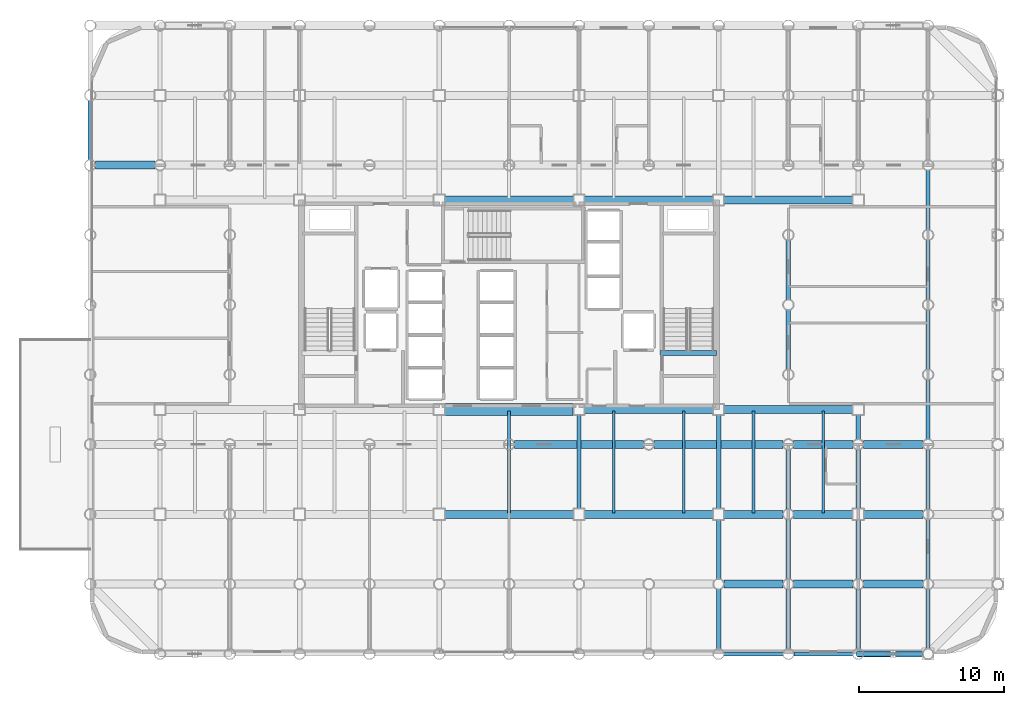
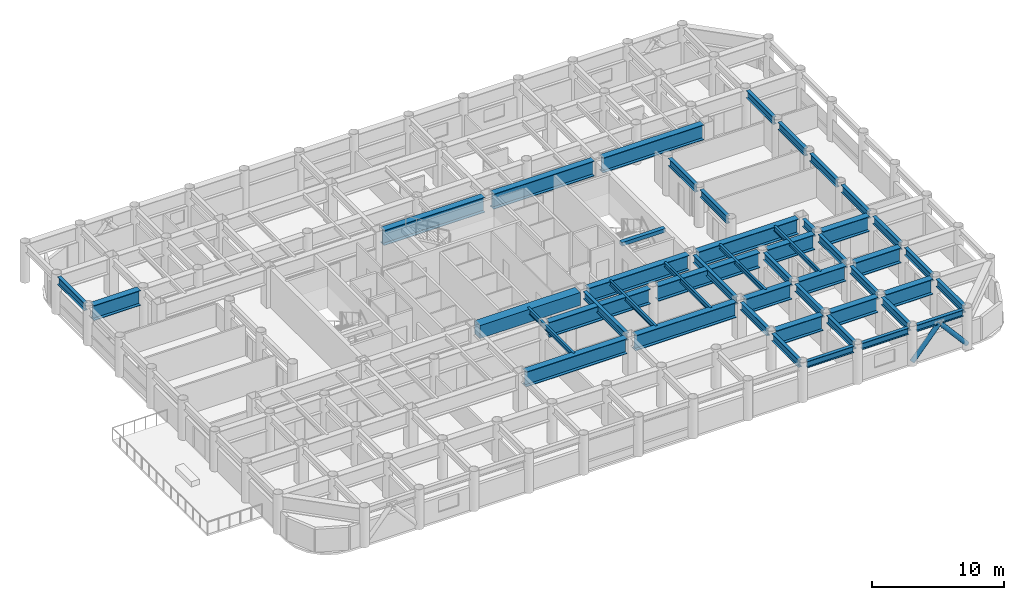
# One storey, part 7 of 22: 49 beams, 2 members.
"""IFC4 building model written with IfcOpenShell, lengths in metres."""

from ifc_helpers import new_model, si_unit, direction, frame, origin, origin_2d, place, context, subcontext, project, spatial, rectangle, hollow_circle, i_section, extrude, material, material_profile, profile_set, type_object, element, save


model = new_model("IFC4")

# Units and contexts
model_context = context("Model", 3, precision=1e-05, world=origin(), true_north=direction((0.0, 1.0)))
body_context = subcontext(model_context, "Body", "Model", "MODEL_VIEW")
ifc_project = project(units=[si_unit("LENGTHUNIT", "METRE"), si_unit("AREAUNIT", "SQUARE_METRE"), si_unit("VOLUMEUNIT", "CUBIC_METRE"), si_unit("PLANEANGLEUNIT", "RADIAN"), si_unit("MASSUNIT", "GRAM", prefix="KILO")], contexts=[model_context])

# Site, building, storey
site_placement = place(None, origin())
site = spatial("IfcSite", under=ifc_project, at=site_placement, CompositionType="ELEMENT")
building_placement = place(site_placement, origin())
building = spatial("IfcBuilding", under=site, at=building_placement, Name="Kallvorn Hotel Tower", CompositionType="ELEMENT")
storey_placement = place(building_placement, frame((0.0, 0.0, 59.60009765625)))
storey = spatial("IfcBuildingStorey", under=building, at=storey_placement, Name="L13", CompositionType="ELEMENT", Elevation=59.60009765625)

# Beams
ifc_material_1 = material(Name="Structural steel S355JR", Category="steel")
ifc_material_profile_1 = material_profile(ifc_material_1, i_section(OverallWidth=0.300048828125, OverallDepth=0.60009765625, WebThickness=0.015380859375, FlangeThickness=0.030029296875, at=origin_2d()), Name="HE 600 B")
ifc_profile_set_1 = profile_set([ifc_material_profile_1], Name="Structural steel S355JR")
beam_type_1 = type_object("IfcBeamType", Name="BM_HE600B", PredefinedType="SPANDREL", material=ifc_profile_set_1)
beam_1_placement = place(storey_placement, frame((14.77099609375, -24.0, 3.219970703125), z_axis=(1.0, 0.0, 0.0), x_axis=(0.0, 1.0, 0.0)))
element("IfcBeam", 1, at=beam_1_placement, inside=storey, type_object=beam_type_1, Name="L14 Perimeter Spandrel 159", PredefinedType="SPANDREL", context=body_context, shape_type="SweptSolid", body=[
    extrude(i_section(OverallWidth=0.300048828125, OverallDepth=0.60009765625, WebThickness=0.015380859375, FlangeThickness=0.030029296875, at=origin_2d()), origin(), (0.0, 0.0, 1.0), 4.05810546875),
])
for number, where, z_axis, x_axis, name in (
    (2, (19.571044921875, -24.0, 3.219970703125), (1.0, 0.0, 0.0), (0.0, 1.0, 0.0), "L14 Perimeter Spandrel 160"),
    (3, (24.37109375, -24.0, 3.219970703125), (1.0, 0.0, 0.0), (0.0, 1.0, 0.0), "L14 Perimeter Spandrel 161"),
):
    element("IfcBeam", number, at=place(storey_placement, frame(where, z_axis=z_axis, x_axis=x_axis)), inside=storey, type_object=beam_type_1, Name=name, PredefinedType="SPANDREL", context=body_context, shape_type="SweptSolid", body=[
        extrude(i_section(OverallWidth=0.300048828125, OverallDepth=0.60009765625, WebThickness=0.015380859375, FlangeThickness=0.030029296875, at=origin_2d()), origin(), (0.0, 0.0, 1.0), 4.057861328125),
    ])
ifc_material_2 = material(Name="Structural steel S355JR", Category="steel")
ifc_material_profile_2 = material_profile(ifc_material_2, i_section(OverallWidth=0.300048828125, OverallDepth=0.699951171875, WebThickness=0.01708984375, FlangeThickness=0.031982421875, at=origin_2d()), Name="HE 700 B")
ifc_profile_set_2 = profile_set([ifc_material_profile_2], Name="Structural steel S355JR")
beam_type_2 = type_object("IfcBeamType", Name="BM_HE700B", PredefinedType="BEAM", material=ifc_profile_set_2)
beam_2_placement = place(storey_placement, frame((-28.800048828125, 9.9560546875, 3.169921875), z_axis=(0.0, 1.0, 0.0), x_axis=(-1.0, 0.0, 0.0)))
element("IfcBeam", 4, at=beam_2_placement, inside=storey, type_object=beam_type_2, Name="L14 Primary Y-Girder 79", PredefinedType="BEAM", context=body_context, shape_type="SweptSolid", body=[
    extrude(i_section(OverallWidth=0.300048828125, OverallDepth=0.699951171875, WebThickness=0.01708984375, FlangeThickness=0.031982421875, at=origin_2d()), origin(), (0.0, 0.0, 1.0), 4.087890625),
])
beam_3_placement = place(storey_placement, frame((4.800048828125, -14.02490234375, 3.169921875), z_axis=(0.0, 1.0, 0.0), x_axis=(-1.0, 0.0, 0.0)))
element("IfcBeam", 5, at=beam_3_placement, inside=storey, type_object=beam_type_2, Name="L14 Primary Y-Girder 115", PredefinedType="BEAM", context=body_context, shape_type="SweptSolid", body=[
    extrude(i_section(OverallWidth=0.300048828125, OverallDepth=0.699951171875, WebThickness=0.01708984375, FlangeThickness=0.031982421875, at=origin_2d()), origin(), (0.0, 0.0, 1.0), 6.449951171875),
])
beam_4_placement = place(storey_placement, frame((14.39990234375, -23.64404296875, 3.169921875), z_axis=(0.0, 1.0, 0.0), x_axis=(-1.0, 0.0, 0.0)))
element("IfcBeam", 6, at=beam_4_placement, inside=storey, type_object=beam_type_2, Name="L14 Primary Y-Girder 121", PredefinedType="BEAM", context=body_context, shape_type="SweptSolid", body=[
    extrude(i_section(OverallWidth=0.300048828125, OverallDepth=0.699951171875, WebThickness=0.01708984375, FlangeThickness=0.031982421875, at=origin_2d()), origin(), (0.0, 0.0, 1.0), 4.088134765625),
])
beam_5_placement = place(storey_placement, frame((14.39990234375, -18.843994140625, 3.169921875), z_axis=(0.0, 1.0, 0.0), x_axis=(-1.0, 0.0, 0.0)))
element("IfcBeam", 7, at=beam_5_placement, inside=storey, type_object=beam_type_2, Name="L14 Primary Y-Girder 122", PredefinedType="BEAM", context=body_context, shape_type="SweptSolid", body=[
    extrude(i_section(OverallWidth=0.300048828125, OverallDepth=0.699951171875, WebThickness=0.01708984375, FlangeThickness=0.031982421875, at=origin_2d()), origin(), (0.0, 0.0, 1.0), 4.069091796875),
])
beam_6_placement = place(storey_placement, frame((14.39990234375, -14.02490234375, 3.169921875), z_axis=(0.0, 1.0, 0.0), x_axis=(-1.0, 0.0, 0.0)))
element("IfcBeam", 8, at=beam_6_placement, inside=storey, type_object=beam_type_2, Name="L14 Primary Y-Girder 123", PredefinedType="BEAM", context=body_context, shape_type="SweptSolid", body=[
    extrude(i_section(OverallWidth=0.300048828125, OverallDepth=0.699951171875, WebThickness=0.01708984375, FlangeThickness=0.031982421875, at=origin_2d()), origin(), (0.0, 0.0, 1.0), 6.449951171875),
])
beam_7_placement = place(storey_placement, frame((19.199951171875, -23.64404296875, 3.169921875), z_axis=(0.0, 1.0, 0.0), x_axis=(-1.0, 0.0, 0.0)))
element("IfcBeam", 9, at=beam_7_placement, inside=storey, type_object=beam_type_2, Name="L14 Primary Y-Girder 126", PredefinedType="BEAM", context=body_context, shape_type="SweptSolid", body=[
    extrude(i_section(OverallWidth=0.300048828125, OverallDepth=0.699951171875, WebThickness=0.01708984375, FlangeThickness=0.031982421875, at=origin_2d()), origin(), (0.0, 0.0, 1.0), 4.088134765625),
])
for number, where, z_axis, x_axis, name in (
    (10, (19.199951171875, -18.843994140625, 3.169921875), (0.0, 1.0, 0.0), (-1.0, 0.0, 0.0), "L14 Primary Y-Girder 127"),
    (11, (19.199951171875, -14.0439453125, 3.169921875), (0.0, 1.0, 0.0), (-1.0, 0.0, 0.0), "L14 Primary Y-Girder 128"),
):
    element("IfcBeam", number, at=place(storey_placement, frame(where, z_axis=z_axis, x_axis=x_axis)), inside=storey, type_object=beam_type_2, Name=name, PredefinedType="BEAM", context=body_context, shape_type="SweptSolid", body=[
        extrude(i_section(OverallWidth=0.300048828125, OverallDepth=0.699951171875, WebThickness=0.01708984375, FlangeThickness=0.031982421875, at=origin_2d()), origin(), (0.0, 0.0, 1.0), 4.087890625),
    ])
for number, where, z_axis, x_axis, name in (
    (12, (19.199951171875, -4.444091796875, 3.169921875), (0.0, 1.0, 0.0), (-1.0, 0.0, 0.0), "L14 Primary Y-Girder 130"),
    (13, (19.199951171875, 0.35595703125, 3.169921875), (0.0, 1.0, 0.0), (-1.0, 0.0, 0.0), "L14 Primary Y-Girder 131"),
    (14, (24.0, -23.64404296875, 3.169921875), (0.0, 1.0, 0.0), (-1.0, 0.0, 0.0), "L14 Primary Y-Girder 135"),
):
    element("IfcBeam", number, at=place(storey_placement, frame(where, z_axis=z_axis, x_axis=x_axis)), inside=storey, type_object=beam_type_2, Name=name, PredefinedType="BEAM", context=body_context, shape_type="SweptSolid", body=[
        extrude(i_section(OverallWidth=0.300048828125, OverallDepth=0.699951171875, WebThickness=0.01708984375, FlangeThickness=0.031982421875, at=origin_2d()), origin(), (0.0, 0.0, 1.0), 4.088134765625),
    ])
beam_8_placement = place(storey_placement, frame((24.0, -18.843994140625, 3.169921875), z_axis=(0.0, 1.0, 0.0), x_axis=(-1.0, 0.0, 0.0)))
element("IfcBeam", 15, at=beam_8_placement, inside=storey, type_object=beam_type_2, Name="L14 Primary Y-Girder 136", PredefinedType="BEAM", context=body_context, shape_type="SweptSolid", body=[
    extrude(i_section(OverallWidth=0.300048828125, OverallDepth=0.699951171875, WebThickness=0.01708984375, FlangeThickness=0.031982421875, at=origin_2d()), origin(), (0.0, 0.0, 1.0), 4.069091796875),
])
beam_9_placement = place(storey_placement, frame((24.0, -14.02490234375, 3.169921875), z_axis=(0.0, 1.0, 0.0), x_axis=(-1.0, 0.0, 0.0)))
element("IfcBeam", 16, at=beam_9_placement, inside=storey, type_object=beam_type_2, Name="L14 Primary Y-Girder 137", PredefinedType="BEAM", context=body_context, shape_type="SweptSolid", body=[
    extrude(i_section(OverallWidth=0.300048828125, OverallDepth=0.699951171875, WebThickness=0.01708984375, FlangeThickness=0.031982421875, at=origin_2d()), origin(), (0.0, 0.0, 1.0), 4.06884765625),
])
beam_10_placement = place(storey_placement, frame((24.0, -9.243896484375, 3.169921875), z_axis=(0.0, 1.0, 0.0), x_axis=(-1.0, 0.0, 0.0)))
element("IfcBeam", 17, at=beam_10_placement, inside=storey, type_object=beam_type_2, Name="L14 Primary Y-Girder 138", PredefinedType="BEAM", context=body_context, shape_type="SweptSolid", body=[
    extrude(i_section(OverallWidth=0.300048828125, OverallDepth=0.699951171875, WebThickness=0.01708984375, FlangeThickness=0.031982421875, at=origin_2d()), origin(), (0.0, 0.0, 1.0), 1.6689453125),
])
beam_11_placement = place(storey_placement, frame((28.800048828125, -23.64404296875, 3.169921875), z_axis=(0.0, 1.0, 0.0), x_axis=(-1.0, 0.0, 0.0)))
element("IfcBeam", 18, at=beam_11_placement, inside=storey, type_object=beam_type_2, Name="L14 Primary Y-Girder 142", PredefinedType="BEAM", context=body_context, shape_type="SweptSolid", body=[
    extrude(i_section(OverallWidth=0.300048828125, OverallDepth=0.699951171875, WebThickness=0.01708984375, FlangeThickness=0.031982421875, at=origin_2d()), origin(), (0.0, 0.0, 1.0), 4.088134765625),
])
for number, where, z_axis, x_axis, name in (
    (19, (28.800048828125, -18.843994140625, 3.169921875), (0.0, 1.0, 0.0), (-1.0, 0.0, 0.0), "L14 Primary Y-Girder 143"),
    (20, (28.800048828125, -14.0439453125, 3.169921875), (0.0, 1.0, 0.0), (-1.0, 0.0, 0.0), "L14 Primary Y-Girder 144"),
    (21, (28.800048828125, -9.243896484375, 3.169921875), (0.0, 1.0, 0.0), (-1.0, 0.0, 0.0), "L14 Primary Y-Girder 145"),
):
    element("IfcBeam", number, at=place(storey_placement, frame(where, z_axis=z_axis, x_axis=x_axis)), inside=storey, type_object=beam_type_2, Name=name, PredefinedType="BEAM", context=body_context, shape_type="SweptSolid", body=[
        extrude(i_section(OverallWidth=0.300048828125, OverallDepth=0.699951171875, WebThickness=0.01708984375, FlangeThickness=0.031982421875, at=origin_2d()), origin(), (0.0, 0.0, 1.0), 4.087890625),
    ])
for number, where, z_axis, x_axis, name in (
    (22, (28.800048828125, -4.444091796875, 3.169921875), (0.0, 1.0, 0.0), (-1.0, 0.0, 0.0), "L14 Primary Y-Girder 146"),
    (23, (28.800048828125, 0.35595703125, 3.169921875), (0.0, 1.0, 0.0), (-1.0, 0.0, 0.0), "L14 Primary Y-Girder 147"),
):
    element("IfcBeam", number, at=place(storey_placement, frame(where, z_axis=z_axis, x_axis=x_axis)), inside=storey, type_object=beam_type_2, Name=name, PredefinedType="BEAM", context=body_context, shape_type="SweptSolid", body=[
        extrude(i_section(OverallWidth=0.300048828125, OverallDepth=0.699951171875, WebThickness=0.01708984375, FlangeThickness=0.031982421875, at=origin_2d()), origin(), (0.0, 0.0, 1.0), 4.088134765625),
    ])
beam_12_placement = place(storey_placement, frame((28.800048828125, 5.156005859375, 3.169921875), z_axis=(0.0, 1.0, 0.0), x_axis=(-1.0, 0.0, 0.0)))
element("IfcBeam", 24, at=beam_12_placement, inside=storey, type_object=beam_type_2, Name="L14 Primary Y-Girder 148", PredefinedType="BEAM", context=body_context, shape_type="SweptSolid", body=[
    extrude(i_section(OverallWidth=0.300048828125, OverallDepth=0.699951171875, WebThickness=0.01708984375, FlangeThickness=0.031982421875, at=origin_2d()), origin(), (0.0, 0.0, 1.0), 4.087890625),
])
ifc_material_3 = material(Name="Structural steel S355JR", Category="steel")
ifc_material_profile_3 = material_profile(ifc_material_3, i_section(OverallWidth=0.18994140625, OverallDepth=0.449951171875, WebThickness=0.009521484375, FlangeThickness=0.0146484375, at=origin_2d()), Name="IPE 450")
ifc_profile_set_3 = profile_set([ifc_material_profile_3], Name="Structural steel S355JR")
beam_type_3 = type_object("IfcBeamType", Name="BM_IPE450", PredefinedType="JOIST", material=ifc_profile_set_3)
for number, where, z_axis, x_axis, name in (
    (25, (0.0, -14.300048828125, 3.294921875), (0.0, 1.0, 0.0), (-1.0, 0.0, 0.0), "L14 Secondary Composite Joist 200"),
    (26, (7.199951171875, -14.300048828125, 3.294921875), (0.0, 1.0, 0.0), (-1.0, 0.0, 0.0), "L14 Secondary Composite Joist 202"),
    (27, (12.0, -14.300048828125, 3.294921875), (0.0, 1.0, 0.0), (-1.0, 0.0, 0.0), "L14 Secondary Composite Joist 204"),
    (28, (16.800048828125, -14.300048828125, 3.294921875), (0.0, 1.0, 0.0), (-1.0, 0.0, 0.0), "L14 Secondary Composite Joist 206"),
    (29, (21.60009765625, -14.300048828125, 3.294921875), (0.0, 1.0, 0.0), (-1.0, 0.0, 0.0), "L14 Secondary Composite Joist 208"),
):
    element("IfcBeam", number, at=place(storey_placement, frame(where, z_axis=z_axis, x_axis=x_axis)), inside=storey, type_object=beam_type_3, Name=name, PredefinedType="JOIST", context=body_context, shape_type="SweptSolid", body=[
        extrude(i_section(OverallWidth=0.18994140625, OverallDepth=0.449951171875, WebThickness=0.009521484375, FlangeThickness=0.0146484375, at=origin_2d()), origin(), (0.0, 0.0, 1.0), 7.0),
    ])
ifc_material_4 = material(Name="Structural steel S355JR", Category="steel")
ifc_material_profile_4 = material_profile(ifc_material_4, i_section(OverallWidth=0.550048828125, OverallDepth=1.39990234375, WebThickness=0.02490234375, FlangeThickness=0.044921875, at=origin_2d()), Name="PG 1400x550x25x45")
ifc_profile_set_4 = profile_set([ifc_material_profile_4], Name="Structural steel S355JR")
beam_type_4 = type_object("IfcBeamType", Name="BM_PG_1400", PredefinedType="BEAM", material=ifc_profile_set_4)
beam_13_placement = place(storey_placement, frame((14.756103515625, -19.199951171875, 2.81982421875), z_axis=(1.0, 0.0, 0.0), x_axis=(0.0, 1.0, 0.0)))
element("IfcBeam", 30, at=beam_13_placement, inside=storey, type_object=beam_type_4, Name="L14 Primary X-Girder 10", PredefinedType="BEAM", context=body_context, shape_type="SweptSolid", body=[
    extrude(i_section(OverallWidth=0.550048828125, OverallDepth=1.39990234375, WebThickness=0.02490234375, FlangeThickness=0.044921875, at=origin_2d()), origin(), (0.0, 0.0, 1.0), 4.087890625),
])
for number, where, z_axis, x_axis, name in (
    (31, (19.555908203125, -19.199951171875, 2.81982421875), (1.0, 0.0, 0.0), (0.0, 1.0, 0.0), "L14 Primary X-Girder 11"),
    (32, (24.35595703125, -19.199951171875, 2.81982421875), (1.0, 0.0, 0.0), (0.0, 1.0, 0.0), "L14 Primary X-Girder 12"),
):
    element("IfcBeam", number, at=place(storey_placement, frame(where, z_axis=z_axis, x_axis=x_axis)), inside=storey, type_object=beam_type_4, Name=name, PredefinedType="BEAM", context=body_context, shape_type="SweptSolid", body=[
        extrude(i_section(OverallWidth=0.550048828125, OverallDepth=1.39990234375, WebThickness=0.02490234375, FlangeThickness=0.044921875, at=origin_2d()), origin(), (0.0, 0.0, 1.0), 4.088134765625),
    ])
beam_14_placement = place(storey_placement, frame((-4.425048828125, -14.39990234375, 2.81982421875), z_axis=(1.0, 0.0, 0.0), x_axis=(0.0, 1.0, 0.0)))
element("IfcBeam", 33, at=beam_14_placement, inside=storey, type_object=beam_type_4, Name="L14 Primary X-Girder 18", PredefinedType="BEAM", context=body_context, shape_type="SweptSolid", body=[
    extrude(i_section(OverallWidth=0.550048828125, OverallDepth=1.39990234375, WebThickness=0.02490234375, FlangeThickness=0.044921875, at=origin_2d()), origin(), (0.0, 0.0, 1.0), 8.85009765625),
])
beam_15_placement = place(storey_placement, frame((5.175048828125, -14.39990234375, 2.81982421875), z_axis=(1.0, 0.0, 0.0), x_axis=(0.0, 1.0, 0.0)))
element("IfcBeam", 34, at=beam_15_placement, inside=storey, type_object=beam_type_4, Name="L14 Primary X-Girder 19", PredefinedType="BEAM", context=body_context, shape_type="SweptSolid", body=[
    extrude(i_section(OverallWidth=0.550048828125, OverallDepth=1.39990234375, WebThickness=0.02490234375, FlangeThickness=0.044921875, at=origin_2d()), origin(), (0.0, 0.0, 1.0), 8.849853515625),
])
for number, where, z_axis, x_axis, name in (
    (35, (14.77490234375, -14.39990234375, 2.81982421875), (1.0, 0.0, 0.0), (0.0, 1.0, 0.0), "L14 Primary X-Girder 20"),
    (36, (19.555908203125, -14.39990234375, 2.81982421875), (1.0, 0.0, 0.0), (0.0, 1.0, 0.0), "L14 Primary X-Girder 21"),
    (37, (24.375, -14.39990234375, 2.81982421875), (1.0, 0.0, 0.0), (0.0, 1.0, 0.0), "L14 Primary X-Girder 22"),
):
    element("IfcBeam", number, at=place(storey_placement, frame(where, z_axis=z_axis, x_axis=x_axis)), inside=storey, type_object=beam_type_4, Name=name, PredefinedType="BEAM", context=body_context, shape_type="SweptSolid", body=[
        extrude(i_section(OverallWidth=0.550048828125, OverallDepth=1.39990234375, WebThickness=0.02490234375, FlangeThickness=0.044921875, at=origin_2d()), origin(), (0.0, 0.0, 1.0), 4.069091796875),
    ])
for number, where, z_axis, x_axis, name in (
    (38, (0.35595703125, -9.60009765625, 2.81982421875), (1.0, 0.0, 0.0), (0.0, 1.0, 0.0), "L14 Primary X-Girder 28"),
    (39, (9.9560546875, -9.60009765625, 2.81982421875), (1.0, 0.0, 0.0), (0.0, 1.0, 0.0), "L14 Primary X-Girder 29"),
):
    element("IfcBeam", number, at=place(storey_placement, frame(where, z_axis=z_axis, x_axis=x_axis)), inside=storey, type_object=beam_type_4, Name=name, PredefinedType="BEAM", context=body_context, shape_type="SweptSolid", body=[
        extrude(i_section(OverallWidth=0.550048828125, OverallDepth=1.39990234375, WebThickness=0.02490234375, FlangeThickness=0.044921875, at=origin_2d()), origin(), (0.0, 0.0, 1.0), 8.887939453125),
    ])
for number, where, z_axis, x_axis, name in (
    (40, (19.555908203125, -9.60009765625, 2.81982421875), (1.0, 0.0, 0.0), (0.0, 1.0, 0.0), "L14 Primary X-Girder 30"),
    (41, (24.35595703125, -9.60009765625, 2.81982421875), (1.0, 0.0, 0.0), (0.0, 1.0, 0.0), "L14 Primary X-Girder 31"),
):
    element("IfcBeam", number, at=place(storey_placement, frame(where, z_axis=z_axis, x_axis=x_axis)), inside=storey, type_object=beam_type_4, Name=name, PredefinedType="BEAM", context=body_context, shape_type="SweptSolid", body=[
        extrude(i_section(OverallWidth=0.550048828125, OverallDepth=1.39990234375, WebThickness=0.02490234375, FlangeThickness=0.044921875, at=origin_2d()), origin(), (0.0, 0.0, 1.0), 4.088134765625),
    ])
beam_16_placement = place(storey_placement, frame((5.175048828125, -7.199951171875, 2.81982421875), z_axis=(1.0, 0.0, 0.0), x_axis=(0.0, 1.0, 0.0)))
element("IfcBeam", 42, at=beam_16_placement, inside=storey, type_object=beam_type_4, Name="L14 Primary X-Girder 35", PredefinedType="BEAM", context=body_context, shape_type="SweptSolid", body=[
    extrude(i_section(OverallWidth=0.550048828125, OverallDepth=1.39990234375, WebThickness=0.02490234375, FlangeThickness=0.044921875, at=origin_2d()), origin(), (0.0, 0.0, 1.0), 8.849853515625),
])
for number, where, z_axis, x_axis, name in (
    (43, (14.77490234375, -7.199951171875, 2.81982421875), (1.0, 0.0, 0.0), (0.0, 1.0, 0.0), "L14 Primary X-Girder 36"),
    (44, (-4.425048828125, 7.199951171875, 2.81982421875), (1.0, 0.0, 0.0), (0.0, 1.0, 0.0), "L14 Primary X-Girder 39"),
):
    element("IfcBeam", number, at=place(storey_placement, frame(where, z_axis=z_axis, x_axis=x_axis)), inside=storey, type_object=beam_type_4, Name=name, PredefinedType="BEAM", context=body_context, shape_type="SweptSolid", body=[
        extrude(i_section(OverallWidth=0.550048828125, OverallDepth=1.39990234375, WebThickness=0.02490234375, FlangeThickness=0.044921875, at=origin_2d()), origin(), (0.0, 0.0, 1.0), 8.85009765625),
    ])
beam_17_placement = place(storey_placement, frame((5.175048828125, 7.199951171875, 2.81982421875), z_axis=(1.0, 0.0, 0.0), x_axis=(0.0, 1.0, 0.0)))
element("IfcBeam", 45, at=beam_17_placement, inside=storey, type_object=beam_type_4, Name="L14 Primary X-Girder 40", PredefinedType="BEAM", context=body_context, shape_type="SweptSolid", body=[
    extrude(i_section(OverallWidth=0.550048828125, OverallDepth=1.39990234375, WebThickness=0.02490234375, FlangeThickness=0.044921875, at=origin_2d()), origin(), (0.0, 0.0, 1.0), 8.849853515625),
])
beam_18_placement = place(storey_placement, frame((14.77490234375, 7.199951171875, 2.81982421875), z_axis=(1.0, 0.0, 0.0), x_axis=(0.0, 1.0, 0.0)))
element("IfcBeam", 46, at=beam_18_placement, inside=storey, type_object=beam_type_4, Name="L14 Primary X-Girder 41", PredefinedType="BEAM", context=body_context, shape_type="SweptSolid", body=[
    extrude(i_section(OverallWidth=0.550048828125, OverallDepth=1.39990234375, WebThickness=0.02490234375, FlangeThickness=0.044921875, at=origin_2d()), origin(), (0.0, 0.0, 1.0), 8.85009765625),
])
beam_19_placement = place(storey_placement, frame((-28.444091796875, 9.60009765625, 2.81982421875), z_axis=(1.0, 0.0, 0.0), x_axis=(0.0, 1.0, 0.0)))
element("IfcBeam", 47, at=beam_19_placement, inside=storey, type_object=beam_type_4, Name="L14 Primary X-Girder 42", PredefinedType="BEAM", context=body_context, shape_type="SweptSolid", body=[
    extrude(i_section(OverallWidth=0.550048828125, OverallDepth=1.39990234375, WebThickness=0.02490234375, FlangeThickness=0.044921875, at=origin_2d()), origin(), (0.0, 0.0, 1.0), 4.088134765625),
])
ifc_material_5 = material(Name="Concrete C50/60", Category="concrete")
ifc_material_profile_5 = material_profile(ifc_material_5, rectangle(XDim=0.360107421875, YDim=0.340087890625, at=origin_2d()), Name="RC 360x340")
ifc_profile_set_5 = profile_set([ifc_material_profile_5], Name="Concrete C50/60")
beam_type_5 = type_object("IfcBeamType", Name="BM_RC_400x360", PredefinedType="BEAM", material=ifc_profile_set_5)
beam_20_placement = place(storey_placement, frame((14.239990234375, -3.31005859375, 3.349853515625), z_axis=(-1.0, 0.0, 0.0), x_axis=(0.0, -1.0, 0.0)))
element("IfcBeam", 48, at=beam_20_placement, inside=storey, type_object=beam_type_5, Name="L14 Stair ST2 Arrival Trimmer Beam", PredefinedType="BEAM", context=body_context, shape_type="SweptSolid", body=[
    extrude(rectangle(XDim=0.360107421875, YDim=0.340087890625, at=origin_2d()), origin(), (0.0, 0.0, 1.0), 3.820068359375),
])
ifc_material_6 = material(Name="Concrete C50/60", Category="concrete")
ifc_material_profile_6 = material_profile(ifc_material_6, rectangle(XDim=0.800048828125, YDim=1.199951171875, at=origin_2d()), Name="RC 800x1200")
ifc_profile_set_6 = profile_set([ifc_material_profile_6], Name="Concrete C50/60")
beam_type_6 = type_object("IfcBeamType", Name="BM_RC_800x1200", PredefinedType="T_BEAM", material=ifc_profile_set_6)
beam_21_placement = place(storey_placement, frame((-4.39990234375, -7.199951171875, 2.919921875), z_axis=(1.0, 0.0, 0.0), x_axis=(0.0, 1.0, 0.0)))
element("IfcBeam", 49, at=beam_21_placement, inside=storey, type_object=beam_type_6, Name="L13 Core Coupling Beam South", PredefinedType="T_BEAM", context=body_context, shape_type="SweptSolid", body=[
    extrude(rectangle(XDim=0.800048828125, YDim=1.199951171875, at=origin_2d()), origin(), (0.0, 0.0, 1.0), 8.7998046875),
])

# Members
ifc_material_7 = material(Name="Structural steel S355J2H", Category="steel")
ifc_material_profile_7 = material_profile(ifc_material_7, hollow_circle(Radius=0.203125, WallThickness=0.01611328125, at=origin_2d()), Name="CHS 406.4x16")
ifc_profile_set_7 = profile_set([ifc_material_profile_7], Name="Structural steel S355J2H")
member_type = type_object("IfcMemberType", Name="MBR_EXO_CHS406", PredefinedType="BRACE", material=ifc_profile_set_7)
for number, where, z_axis, x_axis, name in (
    (50, (24.01318359375, -24.0, 0.195068359375), (0.65346062529, 0.0, 0.756960508346), (0.0, 1.0, 0.0), "L13 Exoskeleton K-Brace S2A"),
    (51, (28.786865234375, -24.0, 0.195068359375), (-0.65346062529, 0.0, 0.756960508346), (0.0, -1.0, 0.0), "L13 Exoskeleton K-Brace S2B"),
):
    element("IfcMember", number, at=place(storey_placement, frame(where, z_axis=z_axis, x_axis=x_axis)), inside=storey, type_object=member_type, Name=name, PredefinedType="BRACE", context=body_context, shape_type="SweptSolid", body=[
        extrude(hollow_circle(Radius=0.203125, WallThickness=0.01611328125, at=origin_2d()), origin(), (0.0, 0.0, 1.0), 3.632568359375),
    ])

save(model, "model.ifc")
